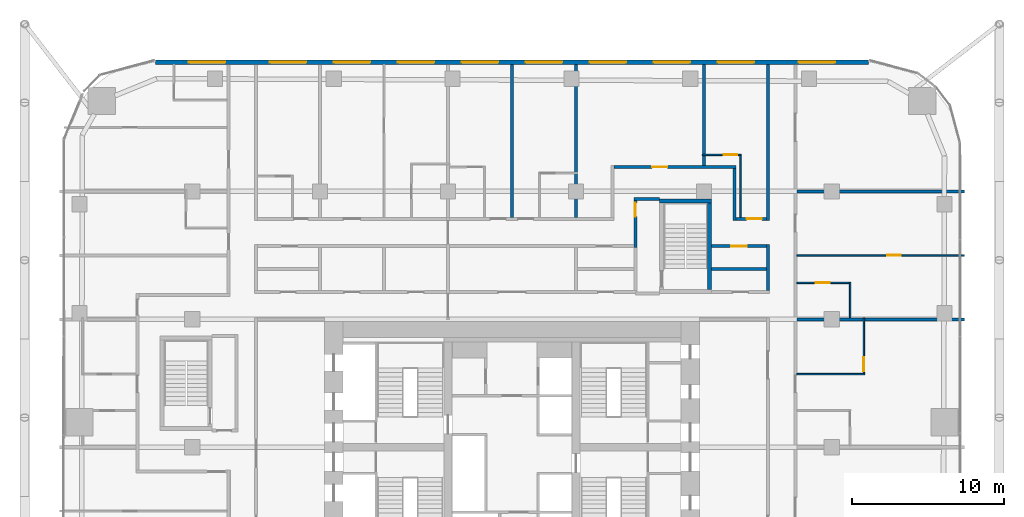
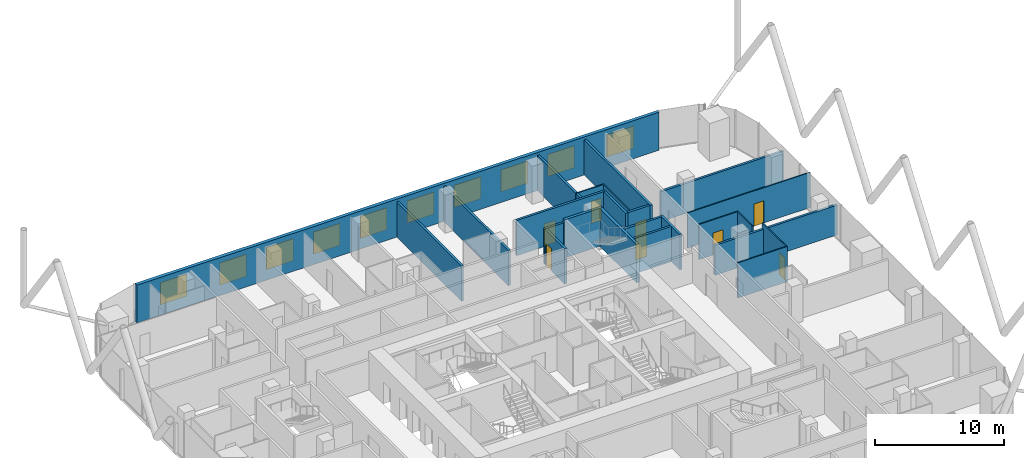
# One storey, part 31 of 34: 24 walls, 10 windows, 8 doors, 18 openings.
"""IFC4 building model written with IfcOpenShell, lengths in metres."""

import ifcopenshell
import ifcopenshell.guid

model = None  # the IFC model being written
_history = None  # IfcOwnerHistory: only IFC2X3 demands one
_inside = {}  # id of a spatial element -> (the spatial element, [elements in it])
_under = {}  # id of a project, library or spatial element -> (it, [spatial elements below it])
_declared = {}  # id of a project -> (the project, [libraries it declares])
_typed = {}  # id of a type object -> (the type object, [elements of that type])
_made_of = {}  # id of a material, layer set ... -> (it, [elements and type objects made of it])


def new_model(schema):
    """Start an empty IFC model of exactly this schema.

    Asked for "IFC4X3", IfcOpenShell would pick the latest addendum, in which some entities
    have other attributes; the version numbers below select the first issue.
    IFC2X3 requires an IfcOwnerHistory on every rooted entity: one is made here for all.
    """
    global model, _history
    if schema == "IFC4X3":
        model = ifcopenshell.file(schema_version=(4, 3, 0, 0))
    else:
        model = ifcopenshell.file(schema=schema)
    _inside.clear()
    _under.clear()
    _declared.clear()
    _typed.clear()
    _made_of.clear()
    _history = None
    if model.schema == "IFC2X3":
        org = make("IfcOrganization", Name="unknown")
        user = make(
            "IfcPersonAndOrganization",
            ThePerson=make("IfcPerson", FamilyName="unknown"),
            TheOrganization=org,
        )
        app = make(
            "IfcApplication",
            ApplicationDeveloper=org,
            Version="unknown",
            ApplicationFullName="unknown",
            ApplicationIdentifier="unknown",
        )
        _history = make(
            "IfcOwnerHistory",
            OwningUser=user,
            OwningApplication=app,
            ChangeAction="ADDED",
            CreationDate=0,
        )
    return model


def make(cls, **values):
    """One entity of the class cls with the attributes given. An attribute that is None is left unset."""
    return model.create_entity(
        cls, **{name: value for name, value in values.items() if value is not None}
    )


def rooted(cls, **values):
    """An entity with a GlobalId (a new one), such as an element, a storey or a relation."""
    return make(cls, GlobalId=ifcopenshell.guid.new(), OwnerHistory=_history, **values)


def si_unit(unit_type, name, prefix=None):
    """IfcSIUnit, for example si_unit("LENGTHUNIT", "METRE", prefix="MILLI")."""
    return make("IfcSIUnit", UnitType=unit_type, Prefix=prefix, Name=name)


def assignment(units):
    """IfcUnitAssignment: the units of a project."""
    return None if units is None else make("IfcUnitAssignment", Units=units)


def point(xyz):
    """IfcCartesianPoint."""
    return None if xyz is None else make("IfcCartesianPoint", Coordinates=xyz)


def direction(xyz):
    """IfcDirection."""
    return None if xyz is None else make("IfcDirection", DirectionRatios=xyz)


def frame(location, z_axis=None, x_axis=None):
    """IfcAxis2Placement3D, a coordinate frame: its origin and axes. An axis left out is left unset."""
    return make(
        "IfcAxis2Placement3D",
        Location=point(location),
        Axis=direction(z_axis),
        RefDirection=direction(x_axis),
    )


def frame_2d(location, x_axis=None):
    """IfcAxis2Placement2D, a coordinate frame in the plane: its origin and x axis."""
    return make(
        "IfcAxis2Placement2D", Location=point(location), RefDirection=direction(x_axis)
    )


def origin():
    """The frame at (0, 0, 0) with its axes left unset."""
    return frame((0.0, 0.0, 0.0))


def place(relative_to, where):
    """IfcLocalPlacement: puts the frame where relative to a parent placement (None: the world)."""
    return make(
        "IfcLocalPlacement", PlacementRelTo=relative_to, RelativePlacement=where
    )


def context(
    kind, dimensions, precision=None, world=None, true_north=None, identifier=None
):
    """IfcGeometricRepresentationContext, for example the 3D "Model" context."""
    return make(
        "IfcGeometricRepresentationContext",
        ContextIdentifier=identifier,
        ContextType=kind,
        CoordinateSpaceDimension=dimensions,
        Precision=precision,
        WorldCoordinateSystem=world,
        TrueNorth=true_north,
    )


def subcontext(parent, identifier, kind, view, scale=None):
    """IfcGeometricRepresentationSubContext, for example "Body" below "Model"."""
    return make(
        "IfcGeometricRepresentationSubContext",
        ContextIdentifier=identifier,
        ContextType=kind,
        ParentContext=parent,
        TargetScale=scale,
        TargetView=view,
    )


def project(units=None, contexts=None):
    """IfcProject with its units and contexts."""
    return rooted(
        "IfcProject",
        Name="project",
        RepresentationContexts=contexts,
        UnitsInContext=assignment(units),
    )


def spatial(cls, under=None, at=None, **own):
    """A site, building, storey or space (cls), placed at a placement, below another one or the project."""
    s = rooted(cls, ObjectPlacement=at, **own)
    if under is not None:
        _under.setdefault(under.id(), (under, []))[1].append(s)
    return s


def profile(cls, at=None, kind="AREA", **sizes):
    """A parametric profile (cls). Its sizes go by their IFC names, for example OverallWidth=200.0."""
    return make(cls, ProfileType=kind, Position=at, **sizes)


def rectangle(**sizes):
    """IfcRectangleProfileDef."""
    return profile("IfcRectangleProfileDef", **sizes)


def extrude(swept, where, along, depth):
    """IfcExtrudedAreaSolid: the profile swept, set in the frame where, extruded along a direction by depth."""
    return make(
        "IfcExtrudedAreaSolid",
        SweptArea=swept,
        Position=where,
        ExtrudedDirection=direction(along),
        Depth=depth,
    )


def shape(context_of_items, identifier, shape_type, items):
    """IfcShapeRepresentation: the items that make up one representation, for example the "Body"."""
    return make(
        "IfcShapeRepresentation",
        ContextOfItems=context_of_items,
        RepresentationIdentifier=identifier,
        RepresentationType=shape_type,
        Items=items,
    )


def material(Name=None, Category=None):
    """IfcMaterial."""
    return make("IfcMaterial", Name=Name, Category=Category)


def layer(
    of_material, thickness, ventilated=None, Name=None, Category=None, Priority=None
):
    """IfcMaterialLayer: one layer of a wall or slab, of a material (None: an air gap)."""
    return make(
        "IfcMaterialLayer",
        Material=of_material,
        LayerThickness=thickness,
        IsVentilated=ventilated,
        Name=Name,
        Category=Category,
        Priority=Priority,
    )


def layer_set(layers, Name=None):
    """IfcMaterialLayerSet."""
    return make("IfcMaterialLayerSet", MaterialLayers=layers, LayerSetName=Name)


def made_of(thing, what):
    """Note that an element or type object is made of a material, layer set ...; save() writes the relation."""
    if what is not None:
        _made_of.setdefault(what.id(), (what, []))[1].append(thing)
    return thing


def type_object(cls, material=None, **own):
    """A type object (cls), such as IfcWallType, which elements share."""
    return made_of(rooted(cls, **own), material)


def element(
    cls,
    number,
    at=None,
    inside=None,
    cuts=None,
    type_object=None,
    material=None,
    context=None,
    identifier="Body",
    shape_type=None,
    held_by="IfcProductDefinitionShape",
    body=None,
    shapes=None,
    **own,
):
    """One element of the class cls, such as IfcWall. Its Tag is "e" and its number.

    at: its placement. inside: the storey or other place that contains it. cuts: it is an
    opening in that element (IfcRelVoidsElement). A single representation is given by context,
    identifier, shape_type and body (its items); several are given by shapes. held_by: the class
    of the entity that holds the representations. save() writes the other relations.
    """
    e = rooted(cls, Tag="e%d" % number, ObjectPlacement=at, **own)
    if body is not None:
        shapes = [shape(context, identifier, shape_type, body)]
    if shapes is not None:
        e.Representation = make(held_by, Representations=shapes)
    if inside is not None:
        _inside.setdefault(inside.id(), (inside, []))[1].append(e)
    if cuts is not None:
        rooted(
            "IfcRelVoidsElement", RelatingBuildingElement=cuts, RelatedOpeningElement=e
        )
    if type_object is not None:
        _typed.setdefault(type_object.id(), (type_object, []))[1].append(e)
    return made_of(e, material)


def fill(opening, filler):
    """IfcRelFillsElement: the door or window that sits in an opening."""
    return rooted(
        "IfcRelFillsElement",
        RelatingOpeningElement=opening,
        RelatedBuildingElement=filler,
    )


def aggregate(whole, parts):
    """IfcRelAggregates: a whole, such as a stair, and the parts it consists of."""
    return rooted("IfcRelAggregates", RelatingObject=whole, RelatedObjects=parts)


def save(model, path):
    """Write the relations noted so far, then the file.

    IfcRelAggregates (storeys below a building ...), IfcRelContainedInSpatialStructure (elements
    in a storey), IfcRelDefinesByType, IfcRelAssociatesMaterial and IfcRelDeclares: one each for
    every whole, place, type object, material and project.
    """
    for whole, parts in _under.values():
        aggregate(whole, parts)
    for where, things in _inside.values():
        rooted(
            "IfcRelContainedInSpatialStructure",
            RelatedElements=things,
            RelatingStructure=where,
        )
    for kind, things in _typed.values():
        rooted("IfcRelDefinesByType", RelatedObjects=things, RelatingType=kind)
    for what, things in _made_of.values():
        rooted("IfcRelAssociatesMaterial", RelatedObjects=things, RelatingMaterial=what)
    for by, libraries in _declared.values():
        rooted("IfcRelDeclares", RelatingContext=by, RelatedDefinitions=libraries)
    model.write(path)


model = new_model("IFC4")

# Units and contexts
model_context = context("Model", 3, precision=1e-05, world=origin(), true_north=direction((0.0, 1.0)))
body_context = subcontext(model_context, "Body", "Model", "MODEL_VIEW")
ifc_project = project(units=[si_unit("LENGTHUNIT", "METRE"), si_unit("AREAUNIT", "SQUARE_METRE"), si_unit("VOLUMEUNIT", "CUBIC_METRE"), si_unit("PLANEANGLEUNIT", "RADIAN"), si_unit("MASSUNIT", "GRAM", prefix="KILO")], contexts=[model_context])

# Site, building, storey
site_placement = place(None, origin())
site = spatial("IfcSite", under=ifc_project, at=site_placement, CompositionType="ELEMENT")
building_placement = place(site_placement, origin())
building = spatial("IfcBuilding", under=site, at=building_placement, Name="Marenta Gate Hotel Tower", CompositionType="ELEMENT")
storey_placement = place(building_placement, frame((0.0, 0.0, 76.10009765625)))
storey = spatial("IfcBuildingStorey", under=building, at=storey_placement, Name="L17", CompositionType="ELEMENT", Elevation=76.10009765625)

# Wall, openings, windows
ifc_material_1 = material(Name="Concrete C40 board-marked", Category="concrete")
ifc_layer_1 = layer(ifc_material_1, 0.300048828125)
ifc_layer_set_1 = layer_set([ifc_layer_1], Name="Concrete C40 board-marked")
wall_type_1 = type_object("IfcWallType", Name="Board-marked concrete wall 300 mm", PredefinedType="NOTDEFINED", material=ifc_layer_set_1)
wall_1_placement = place(storey_placement, frame((23.406005859375, 33.68994140625, 0.0), z_axis=(0.0, 0.0, 1.0), x_axis=(-1.0, 0.0, 0.0)))
wall_1 = element("IfcWall", 1, at=wall_1_placement, inside=storey, type_object=wall_type_1, Name="L17-CLD-N00", PredefinedType="NOTDEFINED", context=body_context, shape_type="SweptSolid", body=[
    extrude(rectangle(XDim=46.81201171875, YDim=0.300048828125, at=frame_2d((23.406005859375, 0.0))), origin(), (0.0, 0.0, 1.0), 3.599853515625),
])
opening_1_placement = place(wall_1_placement, frame((2.185791015625, 0.0, 0.89990234375)))
opening_1 = element("IfcOpeningElement", 2, at=opening_1_placement, cuts=wall_1, Name="Opening W1", PredefinedType="OPENING", context=body_context, shape_type="SweptSolid", body=[
    extrude(rectangle(XDim=2.39990234375, YDim=2.10009765625, at=frame_2d((1.199951171875, 1.050048828125))), frame((0.0, 0.14990234375, 0.0), z_axis=(0.0, -1.0, 0.0), x_axis=(1.0, 0.0, 0.0)), (0.0, 0.0, 1.0), 0.300048828125),
])
opening_2_placement = place(wall_1_placement, frame((7.505859375, 0.0, 0.89990234375)))
opening_2 = element("IfcOpeningElement", 3, at=opening_2_placement, cuts=wall_1, Name="Opening W1", PredefinedType="OPENING", context=body_context, shape_type="SweptSolid", body=[
    extrude(rectangle(XDim=2.39990234375, YDim=2.10009765625, at=frame_2d((1.199951171875, 1.050048828125))), frame((0.0, 0.14990234375, 0.0), z_axis=(0.0, -1.0, 0.0), x_axis=(1.0, 0.0, 0.0)), (0.0, 0.0, 1.0), 0.300048828125),
])
opening_3_placement = place(wall_1_placement, frame((11.705810546875, 0.0, 0.89990234375)))
opening_3 = element("IfcOpeningElement", 4, at=opening_3_placement, cuts=wall_1, Name="Opening W1", PredefinedType="OPENING", context=body_context, shape_type="SweptSolid", body=[
    extrude(rectangle(XDim=2.39990234375, YDim=2.10009765625, at=frame_2d((1.199951171875, 1.050048828125))), frame((0.0, 0.14990234375, 0.0), z_axis=(0.0, -1.0, 0.0), x_axis=(1.0, 0.0, 0.0)), (0.0, 0.0, 1.0), 0.300048828125),
])
opening_4_placement = place(wall_1_placement, frame((15.906005859375, 0.0, 0.89990234375)))
opening_4 = element("IfcOpeningElement", 5, at=opening_4_placement, cuts=wall_1, Name="Opening W1", PredefinedType="OPENING", context=body_context, shape_type="SweptSolid", body=[
    extrude(rectangle(XDim=2.39990234375, YDim=2.10009765625, at=frame_2d((1.199951171875, 1.050048828125))), frame((0.0, 0.14990234375, 0.0), z_axis=(0.0, -1.0, 0.0), x_axis=(1.0, 0.0, 0.0)), (0.0, 0.0, 1.0), 0.300048828125),
])
opening_5_placement = place(wall_1_placement, frame((20.10595703125, 0.0, 0.89990234375)))
opening_5 = element("IfcOpeningElement", 6, at=opening_5_placement, cuts=wall_1, Name="Opening W1", PredefinedType="OPENING", context=body_context, shape_type="SweptSolid", body=[
    extrude(rectangle(XDim=2.39990234375, YDim=2.10009765625, at=frame_2d((1.199951171875, 1.050048828125))), frame((0.0, 0.14990234375, 0.0), z_axis=(0.0, -1.0, 0.0), x_axis=(1.0, 0.0, 0.0)), (0.0, 0.0, 1.0), 0.300048828125),
])
opening_6_placement = place(wall_1_placement, frame((24.305908203125, 0.0, 0.89990234375)))
opening_6 = element("IfcOpeningElement", 7, at=opening_6_placement, cuts=wall_1, Name="Opening W1", PredefinedType="OPENING", context=body_context, shape_type="SweptSolid", body=[
    extrude(rectangle(XDim=2.39990234375, YDim=2.10009765625, at=frame_2d((1.199951171875, 1.050048828125))), frame((0.0, 0.14990234375, 0.0), z_axis=(0.0, -1.0, 0.0), x_axis=(1.0, 0.0, 0.0)), (0.0, 0.0, 1.0), 0.300048828125),
])
opening_7_placement = place(wall_1_placement, frame((28.505859375, 0.0, 0.89990234375)))
opening_7 = element("IfcOpeningElement", 8, at=opening_7_placement, cuts=wall_1, Name="Opening W1", PredefinedType="OPENING", context=body_context, shape_type="SweptSolid", body=[
    extrude(rectangle(XDim=2.39990234375, YDim=2.10009765625, at=frame_2d((1.199951171875, 1.050048828125))), frame((0.0, 0.14990234375, 0.0), z_axis=(0.0, -1.0, 0.0), x_axis=(1.0, 0.0, 0.0)), (0.0, 0.0, 1.0), 0.300048828125),
])
opening_8_placement = place(wall_1_placement, frame((32.705810546875, 0.0, 0.89990234375)))
opening_8 = element("IfcOpeningElement", 9, at=opening_8_placement, cuts=wall_1, Name="Opening W1", PredefinedType="OPENING", context=body_context, shape_type="SweptSolid", body=[
    extrude(rectangle(XDim=2.39990234375, YDim=2.10009765625, at=frame_2d((1.199951171875, 1.050048828125))), frame((0.0, 0.14990234375, 0.0), z_axis=(0.0, -1.0, 0.0), x_axis=(1.0, 0.0, 0.0)), (0.0, 0.0, 1.0), 0.300048828125),
])
opening_9_placement = place(wall_1_placement, frame((36.906005859375, 0.0, 0.89990234375)))
opening_9 = element("IfcOpeningElement", 10, at=opening_9_placement, cuts=wall_1, Name="Opening W1", PredefinedType="OPENING", context=body_context, shape_type="SweptSolid", body=[
    extrude(rectangle(XDim=2.39990234375, YDim=2.10009765625, at=frame_2d((1.199951171875, 1.050048828125))), frame((0.0, 0.14990234375, 0.0), z_axis=(0.0, -1.0, 0.0), x_axis=(1.0, 0.0, 0.0)), (0.0, 0.0, 1.0), 0.300048828125),
])
opening_10_placement = place(wall_1_placement, frame((42.225830078125, 0.0, 0.89990234375)))
opening_10 = element("IfcOpeningElement", 11, at=opening_10_placement, cuts=wall_1, Name="Opening W1", PredefinedType="OPENING", context=body_context, shape_type="SweptSolid", body=[
    extrude(rectangle(XDim=2.39990234375, YDim=2.10009765625, at=frame_2d((1.199951171875, 1.050048828125))), frame((0.0, 0.14990234375, 0.0), z_axis=(0.0, -1.0, 0.0), x_axis=(1.0, 0.0, 0.0)), (0.0, 0.0, 1.0), 0.300048828125),
])
ifc_material_2 = material(Name="Tinted insulated glass in bronze anodised frame", Category="glass")
window_type = type_object("IfcWindowType", Name="Window W1 2400x2100 bronze frame", PartitioningType="SINGLE_PANEL", PredefinedType="WINDOW", material=ifc_material_2)
window_1_placement = place(opening_1_placement, origin())
window_1 = element("IfcWindow", 12, at=window_1_placement, inside=storey, type_object=window_type, Name="Window W1", OverallHeight=2.10009765625, OverallWidth=2.39990234375, PartitioningType="SINGLE_PANEL", PredefinedType="WINDOW", context=body_context, shape_type="SweptSolid", body=[
    extrude(rectangle(XDim=2.39990234375, YDim=2.10009765625, at=frame_2d((1.199951171875, 1.050048828125))), frame((0.0, 0.030029296875, 0.0), z_axis=(0.0, -1.0, 0.0), x_axis=(1.0, 0.0, 0.0)), (0.0, 0.0, 1.0), 0.06005859375),
])
fill(opening_1, window_1)
window_2_placement = place(opening_2_placement, origin())
window_2 = element("IfcWindow", 13, at=window_2_placement, inside=storey, type_object=window_type, Name="Window W1", OverallHeight=2.10009765625, OverallWidth=2.39990234375, PartitioningType="SINGLE_PANEL", PredefinedType="WINDOW", context=body_context, shape_type="SweptSolid", body=[
    extrude(rectangle(XDim=2.39990234375, YDim=2.10009765625, at=frame_2d((1.199951171875, 1.050048828125))), frame((0.0, 0.030029296875, 0.0), z_axis=(0.0, -1.0, 0.0), x_axis=(1.0, 0.0, 0.0)), (0.0, 0.0, 1.0), 0.06005859375),
])
fill(opening_2, window_2)
window_3_placement = place(opening_3_placement, origin())
window_3 = element("IfcWindow", 14, at=window_3_placement, inside=storey, type_object=window_type, Name="Window W1", OverallHeight=2.10009765625, OverallWidth=2.39990234375, PartitioningType="SINGLE_PANEL", PredefinedType="WINDOW", context=body_context, shape_type="SweptSolid", body=[
    extrude(rectangle(XDim=2.39990234375, YDim=2.10009765625, at=frame_2d((1.199951171875, 1.050048828125))), frame((0.0, 0.030029296875, 0.0), z_axis=(0.0, -1.0, 0.0), x_axis=(1.0, 0.0, 0.0)), (0.0, 0.0, 1.0), 0.06005859375),
])
fill(opening_3, window_3)
window_4_placement = place(opening_4_placement, origin())
window_4 = element("IfcWindow", 15, at=window_4_placement, inside=storey, type_object=window_type, Name="Window W1", OverallHeight=2.10009765625, OverallWidth=2.39990234375, PartitioningType="SINGLE_PANEL", PredefinedType="WINDOW", context=body_context, shape_type="SweptSolid", body=[
    extrude(rectangle(XDim=2.39990234375, YDim=2.10009765625, at=frame_2d((1.199951171875, 1.050048828125))), frame((0.0, 0.030029296875, 0.0), z_axis=(0.0, -1.0, 0.0), x_axis=(1.0, 0.0, 0.0)), (0.0, 0.0, 1.0), 0.06005859375),
])
fill(opening_4, window_4)
window_5_placement = place(opening_5_placement, origin())
window_5 = element("IfcWindow", 16, at=window_5_placement, inside=storey, type_object=window_type, Name="Window W1", OverallHeight=2.10009765625, OverallWidth=2.39990234375, PartitioningType="SINGLE_PANEL", PredefinedType="WINDOW", context=body_context, shape_type="SweptSolid", body=[
    extrude(rectangle(XDim=2.39990234375, YDim=2.10009765625, at=frame_2d((1.199951171875, 1.050048828125))), frame((0.0, 0.030029296875, 0.0), z_axis=(0.0, -1.0, 0.0), x_axis=(1.0, 0.0, 0.0)), (0.0, 0.0, 1.0), 0.06005859375),
])
fill(opening_5, window_5)
window_6_placement = place(opening_6_placement, origin())
window_6 = element("IfcWindow", 17, at=window_6_placement, inside=storey, type_object=window_type, Name="Window W1", OverallHeight=2.10009765625, OverallWidth=2.39990234375, PartitioningType="SINGLE_PANEL", PredefinedType="WINDOW", context=body_context, shape_type="SweptSolid", body=[
    extrude(rectangle(XDim=2.39990234375, YDim=2.10009765625, at=frame_2d((1.199951171875, 1.050048828125))), frame((0.0, 0.030029296875, 0.0), z_axis=(0.0, -1.0, 0.0), x_axis=(1.0, 0.0, 0.0)), (0.0, 0.0, 1.0), 0.06005859375),
])
fill(opening_6, window_6)
window_7_placement = place(opening_7_placement, origin())
window_7 = element("IfcWindow", 18, at=window_7_placement, inside=storey, type_object=window_type, Name="Window W1", OverallHeight=2.10009765625, OverallWidth=2.39990234375, PartitioningType="SINGLE_PANEL", PredefinedType="WINDOW", context=body_context, shape_type="SweptSolid", body=[
    extrude(rectangle(XDim=2.39990234375, YDim=2.10009765625, at=frame_2d((1.199951171875, 1.050048828125))), frame((0.0, 0.030029296875, 0.0), z_axis=(0.0, -1.0, 0.0), x_axis=(1.0, 0.0, 0.0)), (0.0, 0.0, 1.0), 0.06005859375),
])
fill(opening_7, window_7)
window_8_placement = place(opening_8_placement, origin())
window_8 = element("IfcWindow", 19, at=window_8_placement, inside=storey, type_object=window_type, Name="Window W1", OverallHeight=2.10009765625, OverallWidth=2.39990234375, PartitioningType="SINGLE_PANEL", PredefinedType="WINDOW", context=body_context, shape_type="SweptSolid", body=[
    extrude(rectangle(XDim=2.39990234375, YDim=2.10009765625, at=frame_2d((1.199951171875, 1.050048828125))), frame((0.0, 0.030029296875, 0.0), z_axis=(0.0, -1.0, 0.0), x_axis=(1.0, 0.0, 0.0)), (0.0, 0.0, 1.0), 0.06005859375),
])
fill(opening_8, window_8)
window_9_placement = place(opening_9_placement, origin())
window_9 = element("IfcWindow", 20, at=window_9_placement, inside=storey, type_object=window_type, Name="Window W1", OverallHeight=2.10009765625, OverallWidth=2.39990234375, PartitioningType="SINGLE_PANEL", PredefinedType="WINDOW", context=body_context, shape_type="SweptSolid", body=[
    extrude(rectangle(XDim=2.39990234375, YDim=2.10009765625, at=frame_2d((1.199951171875, 1.050048828125))), frame((0.0, 0.030029296875, 0.0), z_axis=(0.0, -1.0, 0.0), x_axis=(1.0, 0.0, 0.0)), (0.0, 0.0, 1.0), 0.06005859375),
])
fill(opening_9, window_9)
window_10_placement = place(opening_10_placement, origin())
window_10 = element("IfcWindow", 21, at=window_10_placement, inside=storey, type_object=window_type, Name="Window W1", OverallHeight=2.10009765625, OverallWidth=2.39990234375, PartitioningType="SINGLE_PANEL", PredefinedType="WINDOW", context=body_context, shape_type="SweptSolid", body=[
    extrude(rectangle(XDim=2.39990234375, YDim=2.10009765625, at=frame_2d((1.199951171875, 1.050048828125))), frame((0.0, 0.030029296875, 0.0), z_axis=(0.0, -1.0, 0.0), x_axis=(1.0, 0.0, 0.0)), (0.0, 0.0, 1.0), 0.06005859375),
])
fill(opening_10, window_10)

# Walls
ifc_material_3 = material(Name="Concrete C40", Category="concrete")
ifc_layer_2 = layer(ifc_material_3, 0.25)
ifc_layer_set_2 = layer_set([ifc_layer_2], Name="Concrete C40")
wall_type_2 = type_object("IfcWallType", Name="Remote stair enclosure wall 250 REI 180", PredefinedType="SHEAR", material=ifc_layer_set_2)
wall_2_placement = place(storey_placement, frame((9.699951171875, 24.574951171875, 0.099853515625), z_axis=(0.0, 0.0, 1.0), x_axis=(1.0, 0.0, 0.0)))
element("IfcWall", 22, at=wall_2_placement, inside=storey, type_object=wall_type_2, Name="L17-RS-Z1-4-W2", PredefinedType="SHEAR", context=body_context, shape_type="SweptSolid", body=[
    extrude(rectangle(XDim=3.400146484375, YDim=0.25, at=frame_2d((1.7001953125, 0.0))), origin(), (0.0, 0.0, 1.0), 3.60009765625),
])
wall_3_placement = place(storey_placement, frame((12.97509765625, 18.75, 0.099853515625), z_axis=(0.0, 0.0, 1.0), x_axis=(0.0, 1.0, 0.0)))
element("IfcWall", 23, at=wall_3_placement, inside=storey, type_object=wall_type_2, Name="L17-RS-Z1-4-W4", PredefinedType="SHEAR", context=body_context, shape_type="SweptSolid", body=[
    extrude(rectangle(XDim=5.699951171875, YDim=0.25, at=frame_2d((2.85009765625, 0.0))), origin(), (0.0, 0.0, 1.0), 3.60009765625),
])

# Wall, opening, door
ifc_material_4 = material(Name="Concrete blockwork", Category="masonry")
ifc_layer_3 = layer(ifc_material_4, 0.199951171875)
ifc_layer_set_3 = layer_set([ifc_layer_3], Name="Concrete blockwork")
wall_type_3 = type_object("IfcWallType", Name="Room corridor wall 200 EI 120", PredefinedType="PARTITIONING", material=ifc_layer_set_3)
wall_4_placement = place(storey_placement, frame((6.699951171875, 26.800048828125, 0.0), z_axis=(0.0, 0.0, 1.0), x_axis=(1.0, 0.0, 0.0)))
wall_4 = element("IfcWall", 24, at=wall_4_placement, inside=storey, type_object=wall_type_3, Name="L17-PTN-W141", PredefinedType="PARTITIONING", context=body_context, shape_type="SweptSolid", body=[
    extrude(rectangle(XDim=8.0, YDim=0.199951171875, at=frame_2d((4.0, 0.0))), origin(), (0.0, 0.0, 1.0), 3.33984375),
])
opening_11_placement = place(wall_4_placement, frame((2.5, 0.0, 0.0)))
opening_11 = element("IfcOpeningElement", 25, at=opening_11_placement, cuts=wall_4, Name="Opening G06-65", PredefinedType="OPENING", context=body_context, shape_type="SweptSolid", body=[
    extrude(rectangle(XDim=1.0, YDim=2.10009765625, at=frame_2d((0.5, 1.050048828125))), frame((0.0, 0.10009765625, 0.0), z_axis=(0.0, -1.0, 0.0), x_axis=(1.0, 0.0, 0.0)), (0.0, 0.0, 1.0), 0.199951171875),
])
ifc_material_5 = material(Name="Hollow steel door set", Category="steel")
door_type_1 = type_object("IfcDoorType", Name="Room service door 1000x2100 EI 60", OperationType="NOTDEFINED", PredefinedType="DOOR", material=ifc_material_5)
door_1_placement = place(opening_11_placement, origin())
door_1 = element("IfcDoor", 26, at=door_1_placement, inside=storey, type_object=door_type_1, Name="L17-PD-D065", OperationType="SINGLE_SWING_LEFT", OverallHeight=2.10009765625, OverallWidth=1.0, PredefinedType="DOOR", context=body_context, shape_type="SweptSolid", body=[
    extrude(rectangle(XDim=1.0, YDim=2.10009765625, at=frame_2d((0.5, 1.050048828125))), frame((0.0, 0.02490234375, 0.0), z_axis=(0.0, -1.0, 0.0), x_axis=(1.0, 0.0, 0.0)), (0.0, 0.0, 1.0), 0.050048828125),
])
fill(opening_11, door_1)

# Walls
ifc_material_6 = material(Name="Gypsum board on steel stud", Category="steel")
ifc_layer_4 = layer(ifc_material_6, 0.199951171875)
ifc_layer_set_4 = layer_set([ifc_layer_4], Name="Gypsum board on steel stud")
wall_type_4 = type_object("IfcWallType", Name="Room corridor wall 200 EI 60", PredefinedType="PARTITIONING", material=ifc_layer_set_4)
wall_5_placement = place(storey_placement, frame((16.800048828125, 18.699951171875, 0.0), z_axis=(0.0, 0.0, 1.0), x_axis=(0.0, 1.0, 0.0)))
element("IfcWall", 27, at=wall_5_placement, inside=storey, type_object=wall_type_4, Name="L17-PTN-W012", PredefinedType="PARTITIONING", context=body_context, shape_type="SweptSolid", body=[
    extrude(rectangle(XDim=3.0, YDim=0.199951171875, at=frame_2d((1.5, 0.0))), origin(), (0.0, 0.0, 1.0), 3.33984375),
])
wall_6_placement = place(storey_placement, frame((16.800048828125, 23.300048828125, 0.0), z_axis=(0.0, 0.0, 1.0), x_axis=(0.0, 1.0, 0.0)))
element("IfcWall", 28, at=wall_6_placement, inside=storey, type_object=wall_type_4, Name="L17-PTN-W013", PredefinedType="PARTITIONING", context=body_context, shape_type="SweptSolid", body=[
    extrude(rectangle(XDim=10.239990234375, YDim=0.199951171875, at=frame_2d((5.1201171875, 0.0))), origin(), (0.0, 0.0, 1.0), 3.33984375),
])
wall_7_placement = place(storey_placement, frame((14.60009765625, 23.300048828125, 0.0), z_axis=(0.0, 0.0, 1.0), x_axis=(0.0, 1.0, 0.0)))
element("IfcWall", 29, at=wall_7_placement, inside=storey, type_object=wall_type_4, Name="L17-PTN-W026", PredefinedType="PARTITIONING", context=body_context, shape_type="SweptSolid", body=[
    extrude(rectangle(XDim=3.39990234375, YDim=0.199951171875, at=frame_2d((1.699951171875, 0.0))), origin(), (0.0, 0.0, 1.0), 3.33984375),
])

# Wall, opening, door
wall_8_placement = place(storey_placement, frame((13.10009765625, 21.60009765625, 0.0), z_axis=(0.0, 0.0, 1.0), x_axis=(1.0, 0.0, 0.0)))
wall_8 = element("IfcWall", 30, at=wall_8_placement, inside=storey, type_object=wall_type_4, Name="L17-PTN-W126", PredefinedType="PARTITIONING", context=body_context, shape_type="SweptSolid", body=[
    extrude(rectangle(XDim=3.599853515625, YDim=0.199951171875, at=frame_2d((1.7998046875, 0.0))), origin(), (0.0, 0.0, 1.0), 3.33984375),
])
opening_12_placement = place(wall_8_placement, frame((1.300048828125, 0.0, 0.0)))
opening_12 = element("IfcOpeningElement", 31, at=opening_12_placement, cuts=wall_8, Name="Opening G06-75", PredefinedType="OPENING", context=body_context, shape_type="SweptSolid", body=[
    extrude(rectangle(XDim=1.0, YDim=2.10009765625, at=frame_2d((0.5, 1.050048828125))), frame((0.0, 0.10009765625, 0.0), z_axis=(0.0, -1.0, 0.0), x_axis=(1.0, 0.0, 0.0)), (0.0, 0.0, 1.0), 0.199951171875),
])
ifc_material_7 = material(Name="Timber door leaf", Category="wood")
door_type_2 = type_object("IfcDoorType", Name="Room amenity door 1000x2100 EI 30", OperationType="NOTDEFINED", PredefinedType="DOOR", material=ifc_material_7)
door_2_placement = place(opening_12_placement, origin())
door_2 = element("IfcDoor", 32, at=door_2_placement, inside=storey, type_object=door_type_2, Name="L17-PD-D075", OperationType="SINGLE_SWING_RIGHT", OverallHeight=2.10009765625, OverallWidth=1.0, PredefinedType="DOOR", context=body_context, shape_type="SweptSolid", body=[
    extrude(rectangle(XDim=1.0, YDim=2.10009765625, at=frame_2d((0.5, 1.050048828125))), frame((0.0, 0.02490234375, 0.0), z_axis=(0.0, -1.0, 0.0), x_axis=(1.0, 0.0, 0.0)), (0.0, 0.0, 1.0), 0.050048828125),
])
fill(opening_12, door_2)

wall_9_placement = place(storey_placement, frame((14.699951171875, 23.39990234375, 0.0), z_axis=(0.0, 0.0, 1.0), x_axis=(1.0, 0.0, 0.0)))
wall_9 = element("IfcWall", 33, at=wall_9_placement, inside=storey, type_object=wall_type_4, Name="L17-PTN-W133", PredefinedType="PARTITIONING", context=body_context, shape_type="SweptSolid", body=[
    extrude(rectangle(XDim=2.0, YDim=0.199951171875, at=frame_2d((1.0, 0.0))), origin(), (0.0, 0.0, 1.0), 3.33984375),
])
opening_13_placement = place(wall_9_placement, frame((0.699951171875, 0.0, 0.0)))
opening_13 = element("IfcOpeningElement", 34, at=opening_13_placement, cuts=wall_9, Name="Opening G06-30", PredefinedType="OPENING", context=body_context, shape_type="SweptSolid", body=[
    extrude(rectangle(XDim=1.0, YDim=2.10009765625, at=frame_2d((0.5, 1.050048828125))), frame((0.0, 0.10009765625, 0.0), z_axis=(0.0, -1.0, 0.0), x_axis=(1.0, 0.0, 0.0)), (0.0, 0.0, 1.0), 0.199951171875),
])
ifc_material_8 = material(Name="Timber door leaf", Category="wood")
door_type_3 = type_object("IfcDoorType", Name="Guest room door 1000x2100 EI 30", OperationType="NOTDEFINED", PredefinedType="DOOR", material=ifc_material_8)
door_3_placement = place(opening_13_placement, origin())
door_3 = element("IfcDoor", 35, at=door_3_placement, inside=storey, type_object=door_type_3, Name="L17-PD-D030", OperationType="SINGLE_SWING_RIGHT", OverallHeight=2.10009765625, OverallWidth=1.0, PredefinedType="DOOR", context=body_context, shape_type="SweptSolid", body=[
    extrude(rectangle(XDim=1.0, YDim=2.10009765625, at=frame_2d((0.5, 1.050048828125))), frame((0.0, 0.02490234375, 0.0), z_axis=(0.0, -1.0, 0.0), x_axis=(1.0, 0.0, 0.0)), (0.0, 0.0, 1.0), 0.050048828125),
])
fill(opening_13, door_3)

ifc_material_9 = material(Name="Concrete blockwork", Category="masonry")
ifc_layer_5 = layer(ifc_material_9, 0.199951171875)
ifc_layer_set_5 = layer_set([ifc_layer_5], Name="Concrete blockwork")
wall_type_5 = type_object("IfcWallType", Name="Room corridor wall 200 REI 180", PredefinedType="PARTITIONING", material=ifc_layer_set_5)
wall_10_placement = place(storey_placement, frame((8.10009765625, 21.5, 0.0), z_axis=(0.0, 0.0, 1.0), x_axis=(0.0, 1.0, 0.0)))
wall_10 = element("IfcWall", 36, at=wall_10_placement, inside=storey, type_object=wall_type_5, Name="L17-PTN-W045", PredefinedType="PARTITIONING", context=body_context, shape_type="SweptSolid", body=[
    extrude(rectangle(XDim=3.10009765625, YDim=0.199951171875, at=frame_2d((1.550048828125, 0.0))), origin(), (0.0, 0.0, 1.0), 3.33984375),
])
opening_14_placement = place(wall_10_placement, frame((2.050048828125, 0.0, 0.0)))
opening_14 = element("IfcOpeningElement", 37, at=opening_14_placement, cuts=wall_10, Name="Opening G06-64", PredefinedType="OPENING", context=body_context, shape_type="SweptSolid", body=[
    extrude(rectangle(XDim=0.89990234375, YDim=2.10009765625, at=frame_2d((0.449951171875, 1.050048828125))), frame((0.0, 0.10009765625, 0.0), z_axis=(0.0, -1.0, 0.0), x_axis=(1.0, 0.0, 0.0)), (0.0, 0.0, 1.0), 0.199951171875),
])
ifc_material_10 = material(Name="Hollow steel door set", Category="steel")
door_type_4 = type_object("IfcDoorType", Name="Stair vestibule door 900x2100 EI 60", OperationType="NOTDEFINED", PredefinedType="DOOR", material=ifc_material_10)
door_4_placement = place(opening_14_placement, origin())
door_4 = element("IfcDoor", 38, at=door_4_placement, inside=storey, type_object=door_type_4, Name="L17-PD-D064", OperationType="SINGLE_SWING_LEFT", OverallHeight=2.10009765625, OverallWidth=0.89990234375, PredefinedType="DOOR", context=body_context, shape_type="SweptSolid", body=[
    extrude(rectangle(XDim=0.89990234375, YDim=2.10009765625, at=frame_2d((0.449951171875, 1.050048828125))), frame((0.0, 0.02490234375, 0.0), z_axis=(0.0, -1.0, 0.0), x_axis=(1.0, 0.0, 0.0)), (0.0, 0.0, 1.0), 0.050048828125),
])
fill(opening_14, door_4)

# Wall
wall_11_placement = place(storey_placement, frame((8.0, 24.699951171875, 0.0), z_axis=(0.0, 0.0, 1.0), x_axis=(1.0, 0.0, 0.0)))
element("IfcWall", 39, at=wall_11_placement, inside=storey, type_object=wall_type_5, Name="L17-PTN-W135", PredefinedType="PARTITIONING", context=body_context, shape_type="SweptSolid", body=[
    extrude(rectangle(XDim=1.699951171875, YDim=0.199951171875, at=frame_2d((0.85009765625, 0.0))), origin(), (0.0, 0.0, 1.0), 3.33984375),
])

# Wall, opening, door
ifc_material_11 = material(Name="Gypsum board on steel stud", Category="steel")
ifc_layer_6 = layer(ifc_material_11, 0.10009765625)
ifc_layer_set_6 = layer_set([ifc_layer_6], Name="Gypsum board on steel stud")
wall_type_6 = type_object("IfcWallType", Name="Room partition 100", PredefinedType="PARTITIONING", material=ifc_layer_set_6)
wall_12_placement = place(storey_placement, frame((23.10009765625, 13.25, 0.0), z_axis=(0.0, 0.0, 1.0), x_axis=(0.0, 1.0, 0.0)))
wall_12 = element("IfcWall", 40, at=wall_12_placement, inside=storey, type_object=wall_type_6, Name="L17-PTN-W002", PredefinedType="PARTITIONING", context=body_context, shape_type="SweptSolid", body=[
    extrude(rectangle(XDim=3.64990234375, YDim=0.10009765625, at=frame_2d((1.824951171875, 0.0))), origin(), (0.0, 0.0, 1.0), 3.33984375),
])
opening_15_placement = place(wall_12_placement, frame((0.14990234375, 0.0, 0.0)))
opening_15 = element("IfcOpeningElement", 41, at=opening_15_placement, cuts=wall_12, Name="Opening G06-15", PredefinedType="OPENING", context=body_context, shape_type="SweptSolid", body=[
    extrude(rectangle(XDim=0.89990234375, YDim=2.10009765625, at=frame_2d((0.449951171875, 1.050048828125))), frame((0.0, 0.050048828125, 0.0), z_axis=(0.0, -1.0, 0.0), x_axis=(1.0, 0.0, 0.0)), (0.0, 0.0, 1.0), 0.10009765625),
])
ifc_material_12 = material(Name="Timber door leaf", Category="wood")
door_type_5 = type_object("IfcDoorType", Name="Guest bathroom door 900x2100", OperationType="NOTDEFINED", PredefinedType="DOOR", material=ifc_material_12)
door_5_placement = place(opening_15_placement, origin())
door_5 = element("IfcDoor", 42, at=door_5_placement, inside=storey, type_object=door_type_5, Name="L17-PD-D015", OperationType="SINGLE_SWING_LEFT", OverallHeight=2.10009765625, OverallWidth=0.89990234375, PredefinedType="DOOR", context=body_context, shape_type="SweptSolid", body=[
    extrude(rectangle(XDim=0.89990234375, YDim=2.10009765625, at=frame_2d((0.449951171875, 1.050048828125))), frame((0.0, 0.02490234375, 0.0), z_axis=(0.0, -1.0, 0.0), x_axis=(1.0, 0.0, 0.0)), (0.0, 0.0, 1.0), 0.050048828125),
])
fill(opening_15, door_5)

# Walls
wall_13_placement = place(storey_placement, frame((22.199951171875, 16.89990234375, 0.0), z_axis=(0.0, 0.0, 1.0), x_axis=(0.0, 1.0, 0.0)))
element("IfcWall", 43, at=wall_13_placement, inside=storey, type_object=wall_type_6, Name="L17-PTN-W006", PredefinedType="PARTITIONING", context=body_context, shape_type="SweptSolid", body=[
    extrude(rectangle(XDim=2.35009765625, YDim=0.10009765625, at=frame_2d((1.175048828125, 0.0))), origin(), (0.0, 0.0, 1.0), 3.33984375),
])
wall_14_placement = place(storey_placement, frame((15.0, 23.5, 0.0), z_axis=(0.0, 0.0, 1.0), x_axis=(0.0, 1.0, 0.0)))
element("IfcWall", 44, at=wall_14_placement, inside=storey, type_object=wall_type_6, Name="L17-PTN-W023", PredefinedType="PARTITIONING", context=body_context, shape_type="SweptSolid", body=[
    extrude(rectangle(XDim=4.14990234375, YDim=0.10009765625, at=frame_2d((2.074951171875, 0.0))), origin(), (0.0, 0.0, 1.0), 3.33984375),
])
wall_15_placement = place(storey_placement, frame((18.699951171875, 13.199951171875, 0.0), z_axis=(0.0, 0.0, 1.0), x_axis=(1.0, 0.0, 0.0)))
element("IfcWall", 45, at=wall_15_placement, inside=storey, type_object=wall_type_6, Name="L17-PTN-W098", PredefinedType="PARTITIONING", context=body_context, shape_type="SweptSolid", body=[
    extrude(rectangle(XDim=4.449951171875, YDim=0.10009765625, at=frame_2d((2.22509765625, 0.0))), origin(), (0.0, 0.0, 1.0), 3.33984375),
])

# Wall, opening, door
wall_16_placement = place(storey_placement, frame((18.699951171875, 19.199951171875, 0.0), z_axis=(0.0, 0.0, 1.0), x_axis=(1.0, 0.0, 0.0)))
wall_16 = element("IfcWall", 46, at=wall_16_placement, inside=storey, type_object=wall_type_6, Name="L17-PTN-W116", PredefinedType="PARTITIONING", context=body_context, shape_type="SweptSolid", body=[
    extrude(rectangle(XDim=3.449951171875, YDim=0.10009765625, at=frame_2d((1.72509765625, 0.0))), origin(), (0.0, 0.0, 1.0), 3.33984375),
])
opening_16_placement = place(wall_16_placement, frame((1.25, 0.0, 0.0)))
opening_16 = element("IfcOpeningElement", 47, at=opening_16_placement, cuts=wall_16, Name="Opening G06-19", PredefinedType="OPENING", context=body_context, shape_type="SweptSolid", body=[
    extrude(rectangle(XDim=0.89990234375, YDim=2.10009765625, at=frame_2d((0.449951171875, 1.050048828125))), frame((0.0, 0.050048828125, 0.0), z_axis=(0.0, -1.0, 0.0), x_axis=(1.0, 0.0, 0.0)), (0.0, 0.0, 1.0), 0.10009765625),
])
door_6_placement = place(opening_16_placement, origin())
door_6 = element("IfcDoor", 48, at=door_6_placement, inside=storey, type_object=door_type_5, Name="L17-PD-D019", OperationType="SINGLE_SWING_RIGHT", OverallHeight=2.10009765625, OverallWidth=0.89990234375, PredefinedType="DOOR", context=body_context, shape_type="SweptSolid", body=[
    extrude(rectangle(XDim=0.89990234375, YDim=2.10009765625, at=frame_2d((0.449951171875, 1.050048828125))), frame((0.0, 0.02490234375, 0.0), z_axis=(0.0, -1.0, 0.0), x_axis=(1.0, 0.0, 0.0)), (0.0, 0.0, 1.0), 0.050048828125),
])
fill(opening_16, door_6)

wall_17_placement = place(storey_placement, frame((18.699951171875, 21.0, 0.0), z_axis=(0.0, 0.0, 1.0), x_axis=(1.0, 0.0, 0.0)))
wall_17 = element("IfcWall", 49, at=wall_17_placement, inside=storey, type_object=wall_type_6, Name="L17-PTN-W121", PredefinedType="PARTITIONING", context=body_context, shape_type="SweptSolid", body=[
    extrude(rectangle(XDim=11.0, YDim=0.10009765625, at=frame_2d((5.5, 0.0))), origin(), (0.0, 0.0, 1.0), 3.33984375),
])
opening_17_placement = place(wall_17_placement, frame((5.929931640625, 0.0, 0.0)))
opening_17 = element("IfcOpeningElement", 50, at=opening_17_placement, cuts=wall_17, Name="Opening G06-18", PredefinedType="OPENING", context=body_context, shape_type="SweptSolid", body=[
    extrude(rectangle(XDim=0.89990234375, YDim=2.10009765625, at=frame_2d((0.449951171875, 1.050048828125))), frame((0.0, 0.050048828125, 0.0), z_axis=(0.0, -1.0, 0.0), x_axis=(1.0, 0.0, 0.0)), (0.0, 0.0, 1.0), 0.10009765625),
])
ifc_material_13 = material(Name="Timber door leaf", Category="wood")
door_type_6 = type_object("IfcDoorType", Name="Room inner door 900x2100", OperationType="NOTDEFINED", PredefinedType="DOOR", material=ifc_material_13)
door_7_placement = place(opening_17_placement, origin())
door_7 = element("IfcDoor", 51, at=door_7_placement, inside=storey, type_object=door_type_6, Name="L17-PD-D018", OperationType="SINGLE_SWING_RIGHT", OverallHeight=2.10009765625, OverallWidth=0.89990234375, PredefinedType="DOOR", context=body_context, shape_type="SweptSolid", body=[
    extrude(rectangle(XDim=0.89990234375, YDim=2.10009765625, at=frame_2d((0.449951171875, 1.050048828125))), frame((0.0, 0.02490234375, 0.0), z_axis=(0.0, -1.0, 0.0), x_axis=(1.0, 0.0, 0.0)), (0.0, 0.0, 1.0), 0.050048828125),
])
fill(opening_17, door_7)

wall_18_placement = place(storey_placement, frame((12.5, 27.60009765625, 0.0), z_axis=(0.0, 0.0, 1.0), x_axis=(1.0, 0.0, 0.0)))
wall_18 = element("IfcWall", 52, at=wall_18_placement, inside=storey, type_object=wall_type_6, Name="L17-PTN-W143", PredefinedType="PARTITIONING", context=body_context, shape_type="SweptSolid", body=[
    extrude(rectangle(XDim=2.449951171875, YDim=0.10009765625, at=frame_2d((1.22509765625, 0.0))), origin(), (0.0, 0.0, 1.0), 3.33984375),
])
opening_18_placement = place(wall_18_placement, frame((1.39990234375, 0.0, 0.0)))
opening_18 = element("IfcOpeningElement", 53, at=opening_18_placement, cuts=wall_18, Name="Opening G06-31", PredefinedType="OPENING", context=body_context, shape_type="SweptSolid", body=[
    extrude(rectangle(XDim=0.89990234375, YDim=2.10009765625, at=frame_2d((0.449951171875, 1.050048828125))), frame((0.0, 0.050048828125, 0.0), z_axis=(0.0, -1.0, 0.0), x_axis=(1.0, 0.0, 0.0)), (0.0, 0.0, 1.0), 0.10009765625),
])
door_8_placement = place(opening_18_placement, origin())
door_8 = element("IfcDoor", 54, at=door_8_placement, inside=storey, type_object=door_type_5, Name="L17-PD-D031", OperationType="SINGLE_SWING_LEFT", OverallHeight=2.10009765625, OverallWidth=0.89990234375, PredefinedType="DOOR", context=body_context, shape_type="SweptSolid", body=[
    extrude(rectangle(XDim=0.89990234375, YDim=2.10009765625, at=frame_2d((0.449951171875, 1.050048828125))), frame((0.0, 0.02490234375, 0.0), z_axis=(0.0, -1.0, 0.0), x_axis=(1.0, 0.0, 0.0)), (0.0, 0.0, 1.0), 0.050048828125),
])
fill(opening_18, door_8)

# Walls
ifc_material_14 = material(Name="Concrete blockwork", Category="masonry")
ifc_layer_7 = layer(ifc_material_14, 0.199951171875)
ifc_layer_set_7 = layer_set([ifc_layer_7], Name="Concrete blockwork")
wall_type_7 = type_object("IfcWallType", Name="Room party wall 200 EI 120", PredefinedType="PARTITIONING", material=ifc_layer_set_7)
wall_19_placement = place(storey_placement, frame((12.60009765625, 26.89990234375, 0.0), z_axis=(0.0, 0.0, 1.0), x_axis=(0.0, 1.0, 0.0)))
element("IfcWall", 55, at=wall_19_placement, inside=storey, type_object=wall_type_7, Name="L17-PTN-W032", PredefinedType="PARTITIONING", context=body_context, shape_type="SweptSolid", body=[
    extrude(rectangle(XDim=6.64013671875, YDim=0.199951171875, at=frame_2d((3.320068359375, 0.0))), origin(), (0.0, 0.0, 1.0), 3.33984375),
])
wall_20_placement = place(storey_placement, frame((4.199951171875, 23.5, 0.0), z_axis=(0.0, 0.0, 1.0), x_axis=(0.0, 1.0, 0.0)))
element("IfcWall", 56, at=wall_20_placement, inside=storey, type_object=wall_type_7, Name="L17-PTN-W056", PredefinedType="PARTITIONING", context=body_context, shape_type="SweptSolid", body=[
    extrude(rectangle(XDim=10.0400390625, YDim=0.199951171875, at=frame_2d((5.02001953125, 0.0))), origin(), (0.0, 0.0, 1.0), 3.33984375),
])
ifc_material_15 = material(Name="Gypsum board on steel stud", Category="steel")
ifc_layer_8 = layer(ifc_material_15, 0.199951171875)
ifc_layer_set_8 = layer_set([ifc_layer_8], Name="Gypsum board on steel stud")
wall_type_8 = type_object("IfcWallType", Name="Room party wall 200 EI 60", PredefinedType="PARTITIONING", material=ifc_layer_set_8)
wall_21_placement = place(storey_placement, frame((0.0, 23.5, 0.0), z_axis=(0.0, 0.0, 1.0), x_axis=(0.0, 1.0, 0.0)))
element("IfcWall", 57, at=wall_21_placement, inside=storey, type_object=wall_type_8, Name="L17-PTN-W069", PredefinedType="PARTITIONING", context=body_context, shape_type="SweptSolid", body=[
    extrude(rectangle(XDim=10.0400390625, YDim=0.199951171875, at=frame_2d((5.02001953125, 0.0))), origin(), (0.0, 0.0, 1.0), 3.33984375),
])
wall_22_placement = place(storey_placement, frame((18.699951171875, 16.800048828125, 0.0), z_axis=(0.0, 0.0, 1.0), x_axis=(1.0, 0.0, 0.0)))
element("IfcWall", 58, at=wall_22_placement, inside=storey, type_object=wall_type_8, Name="L17-PTN-W108", PredefinedType="PARTITIONING", context=body_context, shape_type="SweptSolid", body=[
    extrude(rectangle(XDim=11.0, YDim=0.199951171875, at=frame_2d((5.5, 0.0))), origin(), (0.0, 0.0, 1.0), 2.83984375),
])
wall_23_placement = place(storey_placement, frame((13.10009765625, 20.10009765625, 0.0), z_axis=(0.0, 0.0, 1.0), x_axis=(1.0, 0.0, 0.0)))
element("IfcWall", 59, at=wall_23_placement, inside=storey, type_object=wall_type_8, Name="L17-PTN-W119", PredefinedType="PARTITIONING", context=body_context, shape_type="SweptSolid", body=[
    extrude(rectangle(XDim=3.599853515625, YDim=0.199951171875, at=frame_2d((1.7998046875, 0.0))), origin(), (0.0, 0.0, 1.0), 3.33984375),
])
wall_24_placement = place(storey_placement, frame((18.699951171875, 25.199951171875, 0.0), z_axis=(0.0, 0.0, 1.0), x_axis=(1.0, 0.0, 0.0)))
element("IfcWall", 60, at=wall_24_placement, inside=storey, type_object=wall_type_8, Name="L17-PTN-W137", PredefinedType="PARTITIONING", context=body_context, shape_type="SweptSolid", body=[
    extrude(rectangle(XDim=11.0, YDim=0.199951171875, at=frame_2d((5.5, 0.0))), origin(), (0.0, 0.0, 1.0), 2.83984375),
])

save(model, "model.ifc")
